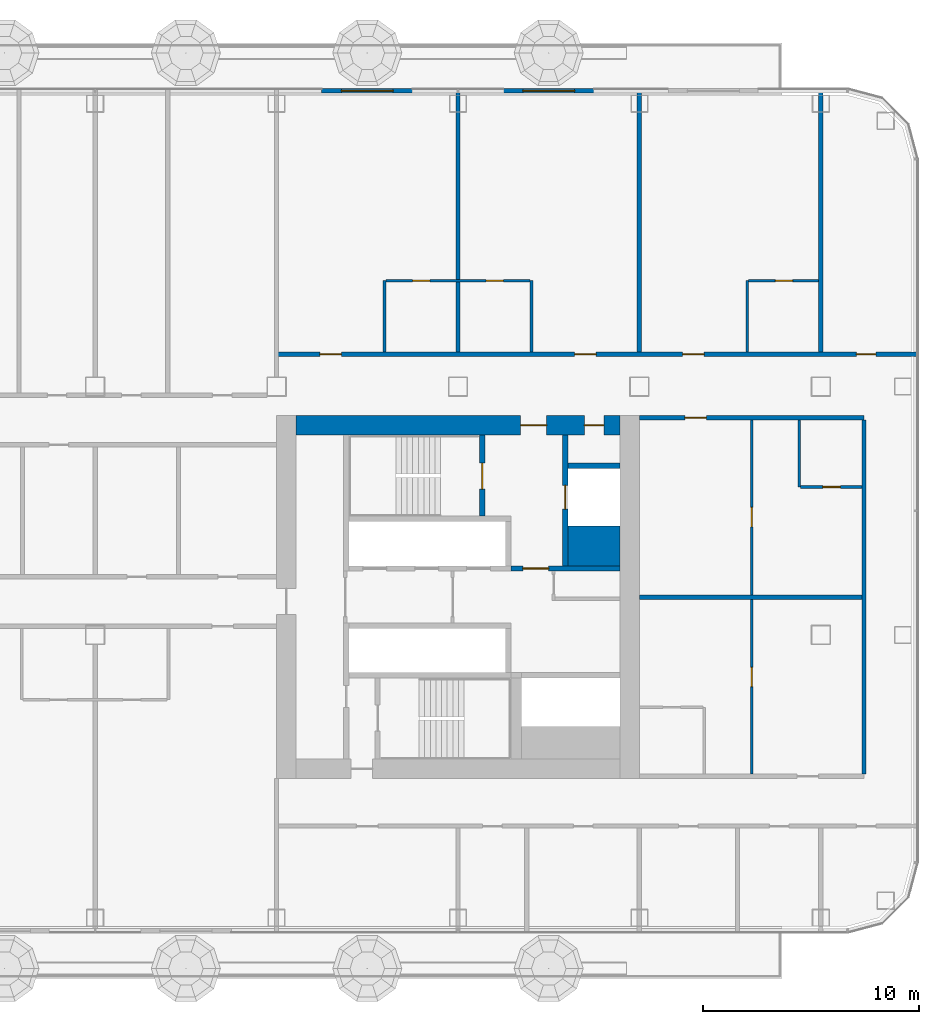
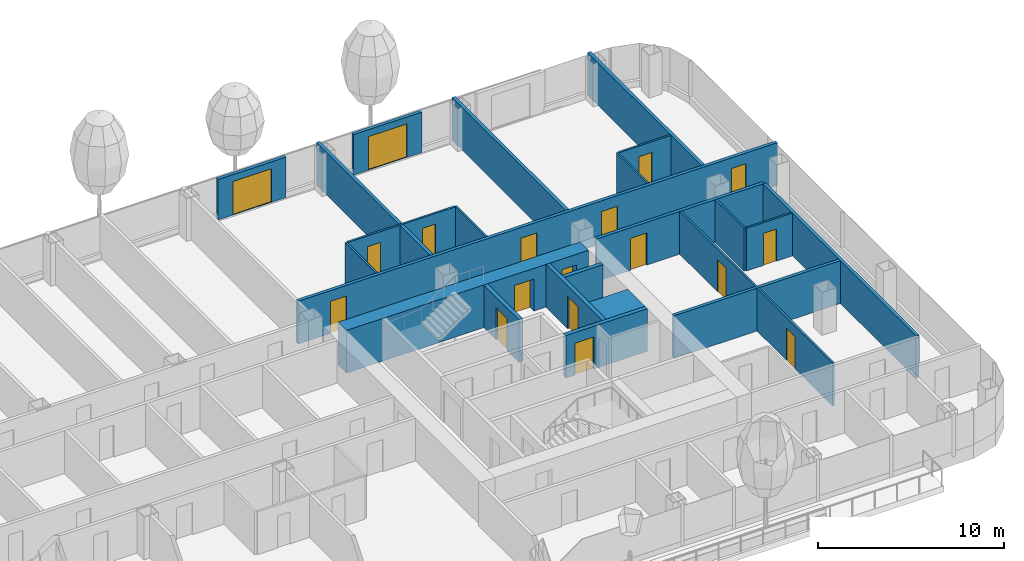
# One storey, part 18 of 34: 23 walls, 18 doors, 18 openings, 1 element without a shape of its own.
"""IFC4 building model written with IfcOpenShell, lengths in metres."""

from ifc_helpers import new_model, si_unit, direction, frame, frame_2d, origin, place, context, subcontext, project, spatial, rectangle, extrude, material, layer, layer_set, type_object, element, fill, aggregate, save


model = new_model("IFC4")

# Units and contexts
model_context = context("Model", 3, precision=1e-05, world=origin(), true_north=direction((0.0, 1.0)))
body_context = subcontext(model_context, "Body", "Model", "MODEL_VIEW")
ifc_project = project(units=[si_unit("LENGTHUNIT", "METRE"), si_unit("AREAUNIT", "SQUARE_METRE"), si_unit("VOLUMEUNIT", "CUBIC_METRE"), si_unit("PLANEANGLEUNIT", "RADIAN"), si_unit("MASSUNIT", "GRAM", prefix="KILO")], contexts=[model_context])

# Site, building, storey
site_placement = place(None, origin())
site = spatial("IfcSite", under=ifc_project, at=site_placement, CompositionType="ELEMENT")
building_placement = place(site_placement, origin())
building = spatial("IfcBuilding", under=site, at=building_placement, Name="Hakoniwa Tower and Hamabe Station Hall", CompositionType="ELEMENT")
storey_placement = place(building_placement, frame((0.0, 0.0, 107.39990234375)))
storey = spatial("IfcBuildingStorey", under=building, at=storey_placement, Name="L30", CompositionType="ELEMENT", Elevation=107.39990234375)

# Wall, opening, door
ifc_material_1 = material(Name="Gypsum board partition", Category="gypsum")
ifc_layer_1 = layer(ifc_material_1, 0.125)
ifc_layer_set_1 = layer_set([ifc_layer_1], Name="Bathroom Partition 125")
wall_type_1 = type_object("IfcWallType", Name="Bathroom Partition 125", PredefinedType="PARTITIONING", material=ifc_layer_set_1)
wall_1_placement = place(storey_placement, frame((41.0625, 5.10009765625, 0.0), z_axis=(0.0, 0.0, 1.0), x_axis=(1.0, 0.0, 0.0)))
wall_1 = element("IfcWall", 1, at=wall_1_placement, inside=storey, type_object=wall_type_1, Name="GW-L30-014", PredefinedType="PARTITIONING", context=body_context, shape_type="SweptSolid", body=[
    extrude(rectangle(XDim=2.83740234375, YDim=0.125, at=frame_2d((1.418701171875, 0.0))), origin(), (0.0, 0.0, 1.0), 2.800048828125),
])
opening_1_placement = place(wall_1_placement, frame((1.03759765625, 0.0, 0.0)))
opening_1 = element("IfcOpeningElement", 2, at=opening_1_placement, cuts=wall_1, Name="Opening GD-G2A2-30", PredefinedType="OPENING", context=body_context, shape_type="SweptSolid", body=[
    extrude(rectangle(XDim=0.800048828125, YDim=2.10009765625, at=frame_2d((0.39990234375, 1.050048828125))), frame((0.0, 0.072509765625, 0.0), z_axis=(0.0, -1.0, 0.0), x_axis=(1.0, 0.0, 0.0)), (0.0, 0.0, 1.0), 0.14501953125),
])
ifc_material_2 = material(Name="Timber door leaf", Category="wood")
door_type_1 = type_object("IfcDoorType", Name="Bathroom Door 800", OperationType="SINGLE_SWING_LEFT", PredefinedType="DOOR", material=ifc_material_2)
door_1_placement = place(opening_1_placement, origin())
door_1 = element("IfcDoor", 3, at=door_1_placement, inside=storey, type_object=door_type_1, Name="Door GD-G2A2-30", OperationType="SINGLE_SWING_RIGHT", OverallHeight=2.10009765625, OverallWidth=0.800048828125, PredefinedType="DOOR", context=body_context, shape_type="SweptSolid", body=[
    extrude(rectangle(XDim=0.800048828125, YDim=2.10009765625, at=frame_2d((0.39990234375, 1.050048828125))), frame((0.0, 0.02490234375, 0.0), z_axis=(0.0, -1.0, 0.0), x_axis=(1.0, 0.0, 0.0)), (0.0, 0.0, 1.0), 0.050048828125),
])
fill(opening_1, door_1)

# Wall, openings, doors
wall_2_placement = place(storey_placement, frame((21.862548828125, 14.64990234375, 0.0), z_axis=(0.0, 0.0, 1.0), x_axis=(1.0, 0.0, 0.0)))
wall_2 = element("IfcWall", 4, at=wall_2_placement, inside=storey, type_object=wall_type_1, Name="GW-L30-023", PredefinedType="PARTITIONING", context=body_context, shape_type="SweptSolid", body=[
    extrude(rectangle(XDim=6.675048828125, YDim=0.125, at=frame_2d((3.33740234375, 0.0))), origin(), (0.0, 0.0, 1.0), 2.800048828125),
])
opening_2_placement = place(wall_2_placement, frame((1.237548828125, 0.0, 0.0)))
opening_2 = element("IfcOpeningElement", 5, at=opening_2_placement, cuts=wall_2, Name="Opening GD-G2A2-55", PredefinedType="OPENING", context=body_context, shape_type="SweptSolid", body=[
    extrude(rectangle(XDim=0.800048828125, YDim=2.10009765625, at=frame_2d((0.39990234375, 1.050048828125))), frame((0.0, 0.072509765625, 0.0), z_axis=(0.0, -1.0, 0.0), x_axis=(1.0, 0.0, 0.0)), (0.0, 0.0, 1.0), 0.14501953125),
])
opening_3_placement = place(wall_2_placement, frame((4.637451171875, 0.0, 0.0)))
opening_3 = element("IfcOpeningElement", 6, at=opening_3_placement, cuts=wall_2, Name="Opening GD-G2A2-56", PredefinedType="OPENING", context=body_context, shape_type="SweptSolid", body=[
    extrude(rectangle(XDim=0.800048828125, YDim=2.10009765625, at=frame_2d((0.39990234375, 1.050048828125))), frame((0.0, 0.072509765625, 0.0), z_axis=(0.0, -1.0, 0.0), x_axis=(1.0, 0.0, 0.0)), (0.0, 0.0, 1.0), 0.14501953125),
])
door_2_placement = place(opening_2_placement, origin())
door_2 = element("IfcDoor", 7, at=door_2_placement, inside=storey, type_object=door_type_1, Name="Door GD-G2A2-55", OperationType="SINGLE_SWING_RIGHT", OverallHeight=2.10009765625, OverallWidth=0.800048828125, PredefinedType="DOOR", context=body_context, shape_type="SweptSolid", body=[
    extrude(rectangle(XDim=0.800048828125, YDim=2.10009765625, at=frame_2d((0.39990234375, 1.050048828125))), frame((0.0, 0.02490234375, 0.0), z_axis=(0.0, -1.0, 0.0), x_axis=(1.0, 0.0, 0.0)), (0.0, 0.0, 1.0), 0.050048828125),
])
fill(opening_2, door_2)
door_3_placement = place(opening_3_placement, origin())
door_3 = element("IfcDoor", 8, at=door_3_placement, inside=storey, type_object=door_type_1, Name="Door GD-G2A2-56", OperationType="SINGLE_SWING_LEFT", OverallHeight=2.10009765625, OverallWidth=0.800048828125, PredefinedType="DOOR", context=body_context, shape_type="SweptSolid", body=[
    extrude(rectangle(XDim=0.800048828125, YDim=2.10009765625, at=frame_2d((0.39990234375, 1.050048828125))), frame((0.0, 0.02490234375, 0.0), z_axis=(0.0, -1.0, 0.0), x_axis=(1.0, 0.0, 0.0)), (0.0, 0.0, 1.0), 0.050048828125),
])
fill(opening_3, door_3)

# Wall, opening, door
wall_3_placement = place(storey_placement, frame((38.66259765625, 14.64990234375, 0.0), z_axis=(0.0, 0.0, 1.0), x_axis=(1.0, 0.0, 0.0)))
wall_3 = element("IfcWall", 9, at=wall_3_placement, inside=storey, type_object=wall_type_1, Name="GW-L30-024", PredefinedType="PARTITIONING", context=body_context, shape_type="SweptSolid", body=[
    extrude(rectangle(XDim=3.2373046875, YDim=0.125, at=frame_2d((1.61865234375, 0.0))), origin(), (0.0, 0.0, 1.0), 2.800048828125),
])
opening_4_placement = place(wall_3_placement, frame((1.237548828125, 0.0, 0.0)))
opening_4 = element("IfcOpeningElement", 10, at=opening_4_placement, cuts=wall_3, Name="Opening GD-G2A2-57", PredefinedType="OPENING", context=body_context, shape_type="SweptSolid", body=[
    extrude(rectangle(XDim=0.800048828125, YDim=2.10009765625, at=frame_2d((0.39990234375, 1.050048828125))), frame((0.0, 0.072509765625, 0.0), z_axis=(0.0, -1.0, 0.0), x_axis=(1.0, 0.0, 0.0)), (0.0, 0.0, 1.0), 0.14501953125),
])
door_4_placement = place(opening_4_placement, origin())
door_4 = element("IfcDoor", 11, at=door_4_placement, inside=storey, type_object=door_type_1, Name="Door GD-G2A2-57", OperationType="SINGLE_SWING_RIGHT", OverallHeight=2.10009765625, OverallWidth=0.800048828125, PredefinedType="DOOR", context=body_context, shape_type="SweptSolid", body=[
    extrude(rectangle(XDim=0.800048828125, YDim=2.10009765625, at=frame_2d((0.39990234375, 1.050048828125))), frame((0.0, 0.02490234375, 0.0), z_axis=(0.0, -1.0, 0.0), x_axis=(1.0, 0.0, 0.0)), (0.0, 0.0, 1.0), 0.050048828125),
])
fill(opening_4, door_4)

# Walls
for number, where, z_axis, x_axis, name in (
    (12, (21.800048828125, 11.35009765625, 0.0), (0.0, 0.0, 1.0), (0.0, 1.0, 0.0), "GW-L30-064"),
    (13, (28.60009765625, 11.35009765625, 0.0), (0.0, 0.0, 1.0), (0.0, 1.0, 0.0), "GW-L30-068"),
    (14, (38.60009765625, 11.35009765625, 0.0), (0.0, 0.0, 1.0), (0.0, 1.0, 0.0), "GW-L30-073"),
):
    element("IfcWall", number, at=place(storey_placement, frame(where, z_axis=z_axis, x_axis=x_axis)), inside=storey, type_object=wall_type_1, Name=name, PredefinedType="PARTITIONING", context=body_context, shape_type="SweptSolid", body=[
        extrude(rectangle(XDim=3.2998046875, YDim=0.125, at=frame_2d((1.64990234375, 0.0))), origin(), (0.0, 0.0, 1.0), 2.800048828125),
    ])
wall_4_placement = place(storey_placement, frame((41.0, 5.10009765625, 0.0), z_axis=(0.0, 0.0, 1.0), x_axis=(0.0, 1.0, 0.0)))
element("IfcWall", 15, at=wall_4_placement, inside=storey, type_object=wall_type_1, Name="GW-L30-075", PredefinedType="PARTITIONING", context=body_context, shape_type="SweptSolid", body=[
    extrude(rectangle(XDim=3.099853515625, YDim=0.125, at=frame_2d((1.5498046875, 0.0))), origin(), (0.0, 0.0, 1.0), 2.800048828125),
])

# Wall, openings, doors
ifc_material_3 = material(Name="Concrete C72", Category="concrete")
ifc_layer_2 = layer(ifc_material_3, 0.89990234375)
ifc_layer_set_2 = layer_set([ifc_layer_2], Name="CORE WALL 900 C72")
wall_type_2 = type_object("IfcWallType", Name="CORE WALL 900 C72", PredefinedType="SHEAR", material=ifc_layer_set_2)
wall_5_placement = place(storey_placement, frame((17.699951171875, 7.949951171875, 0.0), z_axis=(0.0, 0.0, 1.0), x_axis=(1.0, 0.0, 0.0)))
wall_5 = element("IfcWall", 16, at=wall_5_placement, inside=storey, type_object=wall_type_2, Name="Core wall NORTH east", PredefinedType="SHEAR", context=body_context, shape_type="SweptSolid", body=[
    extrude(rectangle(XDim=15.0, YDim=0.89990234375, at=frame_2d((7.5, 0.0))), origin(), (0.0, 0.0, 1.0), 2.800048828125),
])
opening_5_placement = place(wall_5_placement, frame((10.39990234375, 0.0, 0.0)))
opening_5 = element("IfcOpeningElement", 17, at=opening_5_placement, cuts=wall_5, Name="Opening CD-E-FN1-12", PredefinedType="OPENING", context=body_context, shape_type="SweptSolid", body=[
    extrude(rectangle(XDim=1.199951171875, YDim=2.10009765625, at=frame_2d((0.60009765625, 1.050048828125))), frame((0.0, 0.4599609375, 0.0), z_axis=(0.0, -1.0, 0.0), x_axis=(1.0, 0.0, 0.0)), (0.0, 0.0, 1.0), 0.919921875),
])
opening_6_placement = place(wall_5_placement, frame((13.35009765625, 0.0, 0.0)))
opening_6 = element("IfcOpeningElement", 18, at=opening_6_placement, cuts=wall_5, Name="Opening CD-E-FN2-9", PredefinedType="OPENING", context=body_context, shape_type="SweptSolid", body=[
    extrude(rectangle(XDim=0.89990234375, YDim=2.10009765625, at=frame_2d((0.449951171875, 1.050048828125))), frame((0.0, 0.4599609375, 0.0), z_axis=(0.0, -1.0, 0.0), x_axis=(1.0, 0.0, 0.0)), (0.0, 0.0, 1.0), 0.919921875),
])
ifc_material_4 = material(Name="Steel fire door", Category="steel")
door_type_2 = type_object("IfcDoorType", Name="CORE DOOR 1200 FD60", OperationType="DOUBLE_DOOR_SINGLE_SWING", PredefinedType="DOOR", material=ifc_material_4)
door_5_placement = place(opening_5_placement, origin())
door_5 = element("IfcDoor", 19, at=door_5_placement, inside=storey, type_object=door_type_2, Name="Stair vestibule door to the fire-fighting lobby", OperationType="DOUBLE_DOOR_SINGLE_SWING", OverallHeight=2.10009765625, OverallWidth=1.199951171875, PredefinedType="DOOR", context=body_context, shape_type="SweptSolid", body=[
    extrude(rectangle(XDim=1.199951171875, YDim=2.10009765625, at=frame_2d((0.60009765625, 1.050048828125))), frame((0.0, 0.02490234375, 0.0), z_axis=(0.0, -1.0, 0.0), x_axis=(1.0, 0.0, 0.0)), (0.0, 0.0, 1.0), 0.050048828125),
])
fill(opening_5, door_5)
ifc_material_5 = material(Name="Steel fire door", Category="steel")
door_type_3 = type_object("IfcDoorType", Name="CORE DOOR 900 FD30", OperationType="NOTDEFINED", PredefinedType="DOOR", material=ifc_material_5)
door_6_placement = place(opening_6_placement, origin())
door_6 = element("IfcDoor", 20, at=door_6_placement, inside=storey, type_object=door_type_3, Name="Riser access door", OperationType="SINGLE_SWING_RIGHT", OverallHeight=2.10009765625, OverallWidth=0.89990234375, PredefinedType="DOOR", context=body_context, shape_type="SweptSolid", body=[
    extrude(rectangle(XDim=0.89990234375, YDim=2.10009765625, at=frame_2d((0.449951171875, 1.050048828125))), frame((0.0, 0.02490234375, 0.0), z_axis=(0.0, -1.0, 0.0), x_axis=(1.0, 0.0, 0.0)), (0.0, 0.0, 1.0), 0.050048828125),
])
fill(opening_6, door_6)

# Wall
ifc_material_6 = material(Name="Concrete C72", Category="concrete")
ifc_layer_3 = layer(ifc_material_6, 1.85009765625)
ifc_layer_set_3 = layer_set([ifc_layer_3], Name="CORE WEB WALL 1850 C72")
wall_type_3 = type_object("IfcWallType", Name="CORE WEB WALL 1850 C72", PredefinedType="SHEAR", material=ifc_layer_set_3)
wall_6_placement = place(storey_placement, frame((30.300048828125, 2.375, 0.0), z_axis=(0.0, 0.0, 1.0), x_axis=(1.0, 0.0, 0.0)))
element("IfcWall", 21, at=wall_6_placement, inside=storey, type_object=wall_type_3, Name="Core wall CA east", PredefinedType="SHEAR", context=body_context, shape_type="SweptSolid", body=[
    extrude(rectangle(XDim=2.39990234375, YDim=1.85009765625, at=frame_2d((1.199951171875, 0.0))), origin(), (0.0, 0.0, 1.0), 2.800048828125),
])

# Wall, opening, door
ifc_material_7 = material(Name="Concrete C72", Category="concrete")
ifc_layer_4 = layer(ifc_material_7, 0.25)
ifc_layer_set_4 = layer_set([ifc_layer_4], Name="CORE WEB WALL 250 C72")
wall_type_4 = type_object("IfcWallType", Name="CORE WEB WALL 250 C72", PredefinedType="SHEAR", material=ifc_layer_set_4)
wall_7_placement = place(storey_placement, frame((26.324951171875, 3.75, 0.0), z_axis=(0.0, 0.0, 1.0), x_axis=(0.0, 1.0, 0.0)))
wall_7 = element("IfcWall", 22, at=wall_7_placement, inside=storey, type_object=wall_type_4, Name="Core wall NSE east", PredefinedType="SHEAR", context=body_context, shape_type="SweptSolid", body=[
    extrude(rectangle(XDim=3.75, YDim=0.25, at=frame_2d((1.875, 0.0))), origin(), (0.0, 0.0, 1.0), 2.800048828125),
])
opening_7_placement = place(wall_7_placement, frame((1.25, 0.0, 0.0)))
opening_7 = element("IfcOpeningElement", 23, at=opening_7_placement, cuts=wall_7, Name="Opening CD-E-SN-12", PredefinedType="OPENING", context=body_context, shape_type="SweptSolid", body=[
    extrude(rectangle(XDim=1.199951171875, YDim=2.10009765625, at=frame_2d((0.60009765625, 1.050048828125))), frame((0.0, 0.135009765625, 0.0), z_axis=(0.0, -1.0, 0.0), x_axis=(1.0, 0.0, 0.0)), (0.0, 0.0, 1.0), 0.27001953125),
])
door_7_placement = place(opening_7_placement, origin())
door_7 = element("IfcDoor", 24, at=door_7_placement, inside=storey, type_object=door_type_2, Name="Escape stair door", OperationType="DOUBLE_DOOR_SINGLE_SWING", OverallHeight=2.10009765625, OverallWidth=1.199951171875, PredefinedType="DOOR", context=body_context, shape_type="SweptSolid", body=[
    extrude(rectangle(XDim=1.199951171875, YDim=2.10009765625, at=frame_2d((0.60009765625, 1.050048828125))), frame((0.0, 0.02490234375, 0.0), z_axis=(0.0, -1.0, 0.0), x_axis=(1.0, 0.0, 0.0)), (0.0, 0.0, 1.0), 0.050048828125),
])
fill(opening_7, door_7)

wall_8_placement = place(storey_placement, frame((27.64990234375, 1.324951171875, 0.0), z_axis=(0.0, 0.0, 1.0), x_axis=(1.0, 0.0, 0.0)))
wall_8 = element("IfcWall", 25, at=wall_8_placement, inside=storey, type_object=wall_type_4, Name="Core wall ELN east", PredefinedType="SHEAR", context=body_context, shape_type="SweptSolid", body=[
    extrude(rectangle(XDim=5.050048828125, YDim=0.25, at=frame_2d((2.52490234375, 0.0))), origin(), (0.0, 0.0, 1.0), 2.800048828125),
])
opening_8_placement = place(wall_8_placement, frame((0.550048828125, 0.0, 0.0)))
opening_8 = element("IfcOpeningElement", 26, at=opening_8_placement, cuts=wall_8, Name="Opening CD-E-FL-12", PredefinedType="OPENING", context=body_context, shape_type="SweptSolid", body=[
    extrude(rectangle(XDim=1.199951171875, YDim=2.10009765625, at=frame_2d((0.60009765625, 1.050048828125))), frame((0.0, 0.135009765625, 0.0), z_axis=(0.0, -1.0, 0.0), x_axis=(1.0, 0.0, 0.0)), (0.0, 0.0, 1.0), 0.27001953125),
])
door_8_placement = place(opening_8_placement, origin())
door_8 = element("IfcDoor", 27, at=door_8_placement, inside=storey, type_object=door_type_2, Name="Stair vestibule door to the fire-fighting lobby", OperationType="DOUBLE_DOOR_SINGLE_SWING", OverallHeight=2.10009765625, OverallWidth=1.199951171875, PredefinedType="DOOR", context=body_context, shape_type="SweptSolid", body=[
    extrude(rectangle(XDim=1.199951171875, YDim=2.10009765625, at=frame_2d((0.60009765625, 1.050048828125))), frame((0.0, 0.02490234375, 0.0), z_axis=(0.0, -1.0, 0.0), x_axis=(1.0, 0.0, 0.0)), (0.0, 0.0, 1.0), 0.050048828125),
])
fill(opening_8, door_8)

wall_9_placement = place(storey_placement, frame((30.175048828125, 1.449951171875, 0.0), z_axis=(0.0, 0.0, 1.0), x_axis=(0.0, 1.0, 0.0)))
wall_9 = element("IfcWall", 28, at=wall_9_placement, inside=storey, type_object=wall_type_4, Name="Core wall FFF east", PredefinedType="SHEAR", context=body_context, shape_type="SweptSolid", body=[
    extrude(rectangle(XDim=6.050048828125, YDim=0.25, at=frame_2d((3.02490234375, 0.0))), origin(), (0.0, 0.0, 1.0), 2.800048828125),
])
opening_9_placement = place(wall_9_placement, frame((2.625, 0.0, 0.0)))
opening_9 = element("IfcOpeningElement", 29, at=opening_9_placement, cuts=wall_9, Name="Opening LD-FF2", PredefinedType="OPENING", context=body_context, shape_type="SweptSolid", body=[
    extrude(rectangle(XDim=1.10009765625, YDim=2.10009765625, at=frame_2d((0.550048828125, 1.050048828125))), frame((0.0, 0.135009765625, 0.0), z_axis=(0.0, -1.0, 0.0), x_axis=(1.0, 0.0, 0.0)), (0.0, 0.0, 1.0), 0.27001953125),
])
ifc_material_8 = material(Name="Stainless steel SUS304", Category="steel")
door_type_4 = type_object("IfcDoorType", Name="LIFT LANDING DOOR 1100 FD60", OperationType="DOUBLE_DOOR_SLIDING", PredefinedType="DOOR", material=ifc_material_8)
door_9_placement = place(opening_9_placement, origin())
door_9 = element("IfcDoor", 30, at=door_9_placement, inside=storey, type_object=door_type_4, Name="Lift landing door FF2 L30", OperationType="DOUBLE_DOOR_SLIDING", OverallHeight=2.10009765625, OverallWidth=1.10009765625, PredefinedType="DOOR", context=body_context, shape_type="SweptSolid", body=[
    extrude(rectangle(XDim=1.10009765625, YDim=2.10009765625, at=frame_2d((0.550048828125, 1.050048828125))), frame((0.0, 0.02490234375, 0.0), z_axis=(0.0, -1.0, 0.0), x_axis=(1.0, 0.0, 0.0)), (0.0, 0.0, 1.0), 0.050048828125),
])
fill(opening_9, door_9)

# Wall
wall_10_placement = place(storey_placement, frame((30.300048828125, 6.074951171875, 0.0), z_axis=(0.0, 0.0, 1.0), x_axis=(1.0, 0.0, 0.0)))
element("IfcWall", 31, at=wall_10_placement, inside=storey, type_object=wall_type_4, Name="Core wall C2 east", PredefinedType="SHEAR", context=body_context, shape_type="SweptSolid", body=[
    extrude(rectangle(XDim=2.39990234375, YDim=0.25, at=frame_2d((1.199951171875, 0.0))), origin(), (0.0, 0.0, 1.0), 2.800048828125),
])

# Wall, opening, door
ifc_material_9 = material(Name="Fire-rated gypsum board partition", Category="gypsum")
ifc_layer_5 = layer(ifc_material_9, 0.199951171875)
ifc_layer_set_5 = layer_set([ifc_layer_5], Name="Corridor Wall 200")
wall_type_5 = type_object("IfcWallType", Name="Corridor Wall 200", PredefinedType="PARTITIONING", material=ifc_layer_set_5)
wall_11_placement = place(storey_placement, frame((33.60009765625, 8.300048828125, 0.0), z_axis=(0.0, 0.0, 1.0), x_axis=(1.0, 0.0, 0.0)))
wall_11 = element("IfcWall", 32, at=wall_11_placement, inside=storey, type_object=wall_type_5, Name="GW-L30-017", PredefinedType="PARTITIONING", context=body_context, shape_type="SweptSolid", body=[
    extrude(rectangle(XDim=10.39990234375, YDim=0.199951171875, at=frame_2d((5.199951171875, 0.0))), origin(), (0.0, 0.0, 1.0), 2.800048828125),
])
opening_10_placement = place(wall_11_placement, frame((2.10009765625, 0.0, 0.0)))
opening_10 = element("IfcOpeningElement", 33, at=opening_10_placement, cuts=wall_11, Name="Opening GD-G2A2-36", PredefinedType="OPENING", context=body_context, shape_type="SweptSolid", body=[
    extrude(rectangle(XDim=1.0, YDim=2.10009765625, at=frame_2d((0.5, 1.050048828125))), frame((0.0, 0.10986328125, 0.0), z_axis=(0.0, -1.0, 0.0), x_axis=(1.0, 0.0, 0.0)), (0.0, 0.0, 1.0), 0.219970703125),
])
ifc_material_10 = material(Name="Timber door leaf", Category="wood")
door_type_5 = type_object("IfcDoorType", Name="Guest Entrance Door 1000", OperationType="SINGLE_SWING_LEFT", PredefinedType="DOOR", material=ifc_material_10)
door_10_placement = place(opening_10_placement, origin())
door_10 = element("IfcDoor", 34, at=door_10_placement, inside=storey, type_object=door_type_5, Name="Door GD-G2A2-36", OperationType="SINGLE_SWING_RIGHT", OverallHeight=2.10009765625, OverallWidth=1.0, PredefinedType="DOOR", context=body_context, shape_type="SweptSolid", body=[
    extrude(rectangle(XDim=1.0, YDim=2.10009765625, at=frame_2d((0.5, 1.050048828125))), frame((0.0, 0.02490234375, 0.0), z_axis=(0.0, -1.0, 0.0), x_axis=(1.0, 0.0, 0.0)), (0.0, 0.0, 1.0), 0.050048828125),
])
fill(opening_10, door_10)

# Wall, openings, doors
wall_12_placement = place(storey_placement, frame((16.800048828125, 11.25, 0.0), z_axis=(0.0, 0.0, 1.0), x_axis=(1.0, 0.0, 0.0)))
wall_12 = element("IfcWall", 35, at=wall_12_placement, inside=storey, type_object=wall_type_5, Name="GW-L30-020", PredefinedType="PARTITIONING", context=body_context, shape_type="SweptSolid", body=[
    extrude(rectangle(XDim=29.699951171875, YDim=0.199951171875, at=frame_2d((14.85009765625, 0.0))), origin(), (0.0, 0.0, 1.0), 2.800048828125),
])
opening_11_placement = place(wall_12_placement, frame((2.0, 0.0, 0.0)))
opening_11 = element("IfcOpeningElement", 36, at=opening_11_placement, cuts=wall_12, Name="Opening GD-G2A2-48", PredefinedType="OPENING", context=body_context, shape_type="SweptSolid", body=[
    extrude(rectangle(XDim=1.0, YDim=2.10009765625, at=frame_2d((0.5, 1.050048828125))), frame((0.0, 0.10986328125, 0.0), z_axis=(0.0, -1.0, 0.0), x_axis=(1.0, 0.0, 0.0)), (0.0, 0.0, 1.0), 0.219970703125),
])
opening_12_placement = place(wall_12_placement, frame((13.800048828125, 0.0, 0.0)))
opening_12 = element("IfcOpeningElement", 37, at=opening_12_placement, cuts=wall_12, Name="Opening GD-G2A2-49", PredefinedType="OPENING", context=body_context, shape_type="SweptSolid", body=[
    extrude(rectangle(XDim=1.0, YDim=2.10009765625, at=frame_2d((0.5, 1.050048828125))), frame((0.0, 0.10986328125, 0.0), z_axis=(0.0, -1.0, 0.0), x_axis=(1.0, 0.0, 0.0)), (0.0, 0.0, 1.0), 0.219970703125),
])
opening_13_placement = place(wall_12_placement, frame((18.800048828125, 0.0, 0.0)))
opening_13 = element("IfcOpeningElement", 38, at=opening_13_placement, cuts=wall_12, Name="Opening GD-G2A2-50", PredefinedType="OPENING", context=body_context, shape_type="SweptSolid", body=[
    extrude(rectangle(XDim=1.0, YDim=2.10009765625, at=frame_2d((0.5, 1.050048828125))), frame((0.0, 0.10986328125, 0.0), z_axis=(0.0, -1.0, 0.0), x_axis=(1.0, 0.0, 0.0)), (0.0, 0.0, 1.0), 0.219970703125),
])
opening_14_placement = place(wall_12_placement, frame((26.85009765625, 0.0, 0.0)))
opening_14 = element("IfcOpeningElement", 39, at=opening_14_placement, cuts=wall_12, Name="Opening GD-G2A2-51", PredefinedType="OPENING", context=body_context, shape_type="SweptSolid", body=[
    extrude(rectangle(XDim=0.89990234375, YDim=2.10009765625, at=frame_2d((0.449951171875, 1.050048828125))), frame((0.0, 0.10986328125, 0.0), z_axis=(0.0, -1.0, 0.0), x_axis=(1.0, 0.0, 0.0)), (0.0, 0.0, 1.0), 0.219970703125),
])
door_11_placement = place(opening_11_placement, origin())
door_11 = element("IfcDoor", 40, at=door_11_placement, inside=storey, type_object=door_type_5, Name="Door GD-G2A2-48", OperationType="SINGLE_SWING_LEFT", OverallHeight=2.10009765625, OverallWidth=1.0, PredefinedType="DOOR", context=body_context, shape_type="SweptSolid", body=[
    extrude(rectangle(XDim=1.0, YDim=2.10009765625, at=frame_2d((0.5, 1.050048828125))), frame((0.0, 0.02490234375, 0.0), z_axis=(0.0, -1.0, 0.0), x_axis=(1.0, 0.0, 0.0)), (0.0, 0.0, 1.0), 0.050048828125),
])
fill(opening_11, door_11)
door_12_placement = place(opening_12_placement, origin())
door_12 = element("IfcDoor", 41, at=door_12_placement, inside=storey, type_object=door_type_5, Name="Door GD-G2A2-49", OperationType="SINGLE_SWING_RIGHT", OverallHeight=2.10009765625, OverallWidth=1.0, PredefinedType="DOOR", context=body_context, shape_type="SweptSolid", body=[
    extrude(rectangle(XDim=1.0, YDim=2.10009765625, at=frame_2d((0.5, 1.050048828125))), frame((0.0, 0.02490234375, 0.0), z_axis=(0.0, -1.0, 0.0), x_axis=(1.0, 0.0, 0.0)), (0.0, 0.0, 1.0), 0.050048828125),
])
fill(opening_12, door_12)
door_13_placement = place(opening_13_placement, origin())
door_13 = element("IfcDoor", 42, at=door_13_placement, inside=storey, type_object=door_type_5, Name="Door GD-G2A2-50", OperationType="SINGLE_SWING_RIGHT", OverallHeight=2.10009765625, OverallWidth=1.0, PredefinedType="DOOR", context=body_context, shape_type="SweptSolid", body=[
    extrude(rectangle(XDim=1.0, YDim=2.10009765625, at=frame_2d((0.5, 1.050048828125))), frame((0.0, 0.02490234375, 0.0), z_axis=(0.0, -1.0, 0.0), x_axis=(1.0, 0.0, 0.0)), (0.0, 0.0, 1.0), 0.050048828125),
])
fill(opening_13, door_13)
ifc_material_11 = material(Name="Timber door leaf", Category="wood")
door_type_6 = type_object("IfcDoorType", Name="Service Door 900", OperationType="SINGLE_SWING_LEFT", PredefinedType="DOOR", material=ifc_material_11)
door_14_placement = place(opening_14_placement, origin())
door_14 = element("IfcDoor", 43, at=door_14_placement, inside=storey, type_object=door_type_6, Name="Door GD-G2A2-51", OperationType="SINGLE_SWING_RIGHT", OverallHeight=2.10009765625, OverallWidth=0.89990234375, PredefinedType="DOOR", context=body_context, shape_type="SweptSolid", body=[
    extrude(rectangle(XDim=0.89990234375, YDim=2.10009765625, at=frame_2d((0.449951171875, 1.050048828125))), frame((0.0, 0.02490234375, 0.0), z_axis=(0.0, -1.0, 0.0), x_axis=(1.0, 0.0, 0.0)), (0.0, 0.0, 1.0), 0.050048828125),
])
fill(opening_14, door_14)

# Curtain wall, walls, openings, doors
ifc_material_12 = material(Name="Dark low-e laminated glass", Category="glass")
ifc_layer_6 = layer(ifc_material_12, 0.199951171875)
ifc_layer_set_6 = layer_set([ifc_layer_6], Name="CW-1 UNITISED GUEST")
curtain_wall_type = type_object("IfcCurtainWallType", Name="CW-1 UNITISED GUEST", PredefinedType="NOTDEFINED", material=ifc_layer_set_6)
curtain_wall_placement = place(storey_placement, origin())
curtain_wall = element("IfcCurtainWall", 44, at=curtain_wall_placement, inside=storey, type_object=curtain_wall_type, Name="CW-1 curtain wall", PredefinedType="NOTDEFINED")
ifc_material_13 = material(Name="Dark glass-faced aluminium panel", Category="aluminium")
ifc_layer_7 = layer(ifc_material_13, 0.199951171875)
ifc_layer_set_7 = layer_set([ifc_layer_7], Name="DOOR BAY WALL")
wall_type_6 = type_object("IfcWallType", Name="DOOR BAY WALL", PredefinedType="NOTDEFINED", material=ifc_layer_set_7)
wall_13_placement = place(storey_placement, frame((31.510009765625, 23.449951171875, 0.0), z_axis=(0.0, 0.0, 1.0), x_axis=(-1.0, 0.0, 0.0)))
wall_13 = element("IfcWall", 45, at=wall_13_placement, type_object=wall_type_6, Name="Door bay wall", PredefinedType="NOTDEFINED", context=body_context, shape_type="SweptSolid", body=[
    extrude(rectangle(XDim=4.219970703125, YDim=0.199951171875, at=frame_2d((2.10986328125, 0.0))), origin(), (0.0, 0.0, 1.0), 2.650146484375),
])
opening_15_placement = place(wall_13_placement, frame((0.909912109375, 0.0, 0.0)))
opening_15 = element("IfcOpeningElement", 46, at=opening_15_placement, cuts=wall_13, Name="Opening BD-N03-5", PredefinedType="OPENING", context=body_context, shape_type="SweptSolid", body=[
    extrude(rectangle(XDim=2.39990234375, YDim=2.199951171875, at=frame_2d((1.199951171875, 1.10009765625))), frame((0.0, 0.10986328125, 0.0), z_axis=(0.0, -1.0, 0.0), x_axis=(1.0, 0.0, 0.0)), (0.0, 0.0, 1.0), 0.219970703125),
])
ifc_material_14 = material(Name="Dark low-e laminated glass", Category="glass")
door_type_7 = type_object("IfcDoorType", Name="BALCONY SLIDING DOOR 2400X2200", OperationType="SLIDING_TO_LEFT", PredefinedType="DOOR", material=ifc_material_14)
door_15_placement = place(opening_15_placement, frame((2.39990234375, 0.0, 0.0), z_axis=(0.0, 0.0, 1.0), x_axis=(-1.0, 0.0, 0.0)))
door_15 = element("IfcDoor", 47, at=door_15_placement, inside=storey, type_object=door_type_7, Name="Balcony sliding door", OperationType="SLIDING_TO_LEFT", OverallHeight=2.199951171875, OverallWidth=2.39990234375, PredefinedType="DOOR", context=body_context, shape_type="SweptSolid", body=[
    extrude(rectangle(XDim=2.39990234375, YDim=2.199951171875, at=frame_2d((1.199951171875, 1.10009765625))), frame((0.0, 0.02490234375, 0.0), z_axis=(0.0, -1.0, 0.0), x_axis=(1.0, 0.0, 0.0)), (0.0, 0.0, 1.0), 0.050048828125),
])
fill(opening_15, door_15)
wall_14_placement = place(storey_placement, frame((23.110107421875, 23.449951171875, 0.0), z_axis=(0.0, 0.0, 1.0), x_axis=(-1.0, 0.0, 0.0)))
wall_14 = element("IfcWall", 48, at=wall_14_placement, type_object=wall_type_6, Name="Door bay wall", PredefinedType="NOTDEFINED", context=body_context, shape_type="SweptSolid", body=[
    extrude(rectangle(XDim=4.22021484375, YDim=0.199951171875, at=frame_2d((2.110107421875, 0.0))), origin(), (0.0, 0.0, 1.0), 2.650146484375),
])
opening_16_placement = place(wall_14_placement, frame((0.909912109375, 0.0, 0.0)))
opening_16 = element("IfcOpeningElement", 49, at=opening_16_placement, cuts=wall_14, Name="Opening BD-N03-4", PredefinedType="OPENING", context=body_context, shape_type="SweptSolid", body=[
    extrude(rectangle(XDim=2.39990234375, YDim=2.199951171875, at=frame_2d((1.199951171875, 1.10009765625))), frame((0.0, 0.10986328125, 0.0), z_axis=(0.0, -1.0, 0.0), x_axis=(1.0, 0.0, 0.0)), (0.0, 0.0, 1.0), 0.219970703125),
])
door_16_placement = place(opening_16_placement, frame((2.39990234375, 0.0, 0.0), z_axis=(0.0, 0.0, 1.0), x_axis=(-1.0, 0.0, 0.0)))
door_16 = element("IfcDoor", 50, at=door_16_placement, inside=storey, type_object=door_type_7, Name="Balcony sliding door", OperationType="SLIDING_TO_LEFT", OverallHeight=2.199951171875, OverallWidth=2.39990234375, PredefinedType="DOOR", context=body_context, shape_type="SweptSolid", body=[
    extrude(rectangle(XDim=2.39990234375, YDim=2.199951171875, at=frame_2d((1.199951171875, 1.10009765625))), frame((0.0, 0.02490234375, 0.0), z_axis=(0.0, -1.0, 0.0), x_axis=(1.0, 0.0, 0.0)), (0.0, 0.0, 1.0), 0.050048828125),
])
fill(opening_16, door_16)
aggregate(curtain_wall, [wall_13, wall_14])

# Walls
ifc_material_15 = material(Name="Fire-rated gypsum board partition", Category="gypsum")
ifc_layer_8 = layer(ifc_material_15, 0.199951171875)
ifc_layer_set_8 = layer_set([ifc_layer_8], Name="Party Wall 200")
wall_type_7 = type_object("IfcWallType", Name="Party Wall 200", PredefinedType="PARTITIONING", material=ifc_layer_set_8)
wall_15_placement = place(storey_placement, frame((33.60009765625, 0.0, 0.0), z_axis=(0.0, 0.0, 1.0), x_axis=(1.0, 0.0, 0.0)))
element("IfcWall", 51, at=wall_15_placement, inside=storey, type_object=wall_type_7, Name="GW-L30-011", PredefinedType="PARTITIONING", context=body_context, shape_type="SweptSolid", body=[
    extrude(rectangle(XDim=10.2998046875, YDim=0.199951171875, at=frame_2d((5.14990234375, 0.0))), origin(), (0.0, 0.0, 1.0), 2.800048828125),
])
for number, where, z_axis, x_axis, name in (
    (52, (25.199951171875, 11.35009765625, 0.0), (0.0, 0.0, 1.0), (0.0, 1.0, 0.0), "GW-L30-066"),
    (53, (33.60009765625, 11.35009765625, 0.0), (0.0, 0.0, 1.0), (0.0, 1.0, 0.0), "GW-L30-070"),
    (54, (42.0, 11.35009765625, 0.0), (0.0, 0.0, 1.0), (0.0, 1.0, 0.0), "GW-L30-077"),
):
    element("IfcWall", number, at=place(storey_placement, frame(where, z_axis=z_axis, x_axis=x_axis)), inside=storey, type_object=wall_type_7, Name=name, PredefinedType="PARTITIONING", context=body_context, shape_type="SweptSolid", body=[
        extrude(rectangle(XDim=12.199951171875, YDim=0.199951171875, at=frame_2d((6.10009765625, 0.0))), origin(), (0.0, 0.0, 1.0), 2.800048828125),
    ])
wall_16_placement = place(storey_placement, frame((44.0, -8.199951171875, 0.0), z_axis=(0.0, 0.0, 1.0), x_axis=(0.0, 1.0, 0.0)))
element("IfcWall", 55, at=wall_16_placement, inside=storey, type_object=wall_type_7, Name="GW-L30-078", PredefinedType="PARTITIONING", context=body_context, shape_type="SweptSolid", body=[
    extrude(rectangle(XDim=16.39990234375, YDim=0.199951171875, at=frame_2d((8.199951171875, 0.0))), origin(), (0.0, 0.0, 1.0), 2.800048828125),
])

# Wall, openings, doors
ifc_material_16 = material(Name="Gypsum board partition", Category="gypsum")
ifc_layer_9 = layer(ifc_material_16, 0.125)
ifc_layer_set_9 = layer_set([ifc_layer_9], Name="Room Partition 125")
wall_type_8 = type_object("IfcWallType", Name="Room Partition 125", PredefinedType="PARTITIONING", material=ifc_layer_set_9)
wall_17_placement = place(storey_placement, frame((38.800048828125, -8.199951171875, 0.0), z_axis=(0.0, 0.0, 1.0), x_axis=(0.0, 1.0, 0.0)))
wall_17 = element("IfcWall", 56, at=wall_17_placement, inside=storey, type_object=wall_type_8, Name="GW-L30-074", PredefinedType="PARTITIONING", context=body_context, shape_type="SweptSolid", body=[
    extrude(rectangle(XDim=16.39990234375, YDim=0.125, at=frame_2d((8.199951171875, 0.0))), origin(), (0.0, 0.0, 1.0), 2.800048828125),
])
opening_17_placement = place(wall_17_placement, frame((4.050048828125, 0.0, 0.0)))
opening_17 = element("IfcOpeningElement", 57, at=opening_17_placement, cuts=wall_17, Name="Opening GD-G2A2-59", PredefinedType="OPENING", context=body_context, shape_type="SweptSolid", body=[
    extrude(rectangle(XDim=0.89990234375, YDim=2.10009765625, at=frame_2d((0.449951171875, 1.050048828125))), frame((0.0, 0.072509765625, 0.0), z_axis=(0.0, -1.0, 0.0), x_axis=(1.0, 0.0, 0.0)), (0.0, 0.0, 1.0), 0.14501953125),
])
opening_18_placement = place(wall_17_placement, frame((11.449951171875, 0.0, 0.0)))
opening_18 = element("IfcOpeningElement", 58, at=opening_18_placement, cuts=wall_17, Name="Opening GD-G2A2-60", PredefinedType="OPENING", context=body_context, shape_type="SweptSolid", body=[
    extrude(rectangle(XDim=0.89990234375, YDim=2.10009765625, at=frame_2d((0.449951171875, 1.050048828125))), frame((0.0, 0.072509765625, 0.0), z_axis=(0.0, -1.0, 0.0), x_axis=(1.0, 0.0, 0.0)), (0.0, 0.0, 1.0), 0.14501953125),
])
ifc_material_17 = material(Name="Timber door leaf", Category="wood")
door_type_8 = type_object("IfcDoorType", Name="Suite Interior Door 900", OperationType="SINGLE_SWING_LEFT", PredefinedType="DOOR", material=ifc_material_17)
door_17_placement = place(opening_17_placement, origin())
door_17 = element("IfcDoor", 59, at=door_17_placement, inside=storey, type_object=door_type_8, Name="Door GD-G2A2-59", OperationType="SINGLE_SWING_LEFT", OverallHeight=2.10009765625, OverallWidth=0.89990234375, PredefinedType="DOOR", context=body_context, shape_type="SweptSolid", body=[
    extrude(rectangle(XDim=0.89990234375, YDim=2.10009765625, at=frame_2d((0.449951171875, 1.050048828125))), frame((0.0, 0.02490234375, 0.0), z_axis=(0.0, -1.0, 0.0), x_axis=(1.0, 0.0, 0.0)), (0.0, 0.0, 1.0), 0.050048828125),
])
fill(opening_17, door_17)
door_18_placement = place(opening_18_placement, origin())
door_18 = element("IfcDoor", 60, at=door_18_placement, inside=storey, type_object=door_type_8, Name="Door GD-G2A2-60", OperationType="SINGLE_SWING_RIGHT", OverallHeight=2.10009765625, OverallWidth=0.89990234375, PredefinedType="DOOR", context=body_context, shape_type="SweptSolid", body=[
    extrude(rectangle(XDim=0.89990234375, YDim=2.10009765625, at=frame_2d((0.449951171875, 1.050048828125))), frame((0.0, 0.02490234375, 0.0), z_axis=(0.0, -1.0, 0.0), x_axis=(1.0, 0.0, 0.0)), (0.0, 0.0, 1.0), 0.050048828125),
])
fill(opening_18, door_18)

save(model, "model.ifc")
